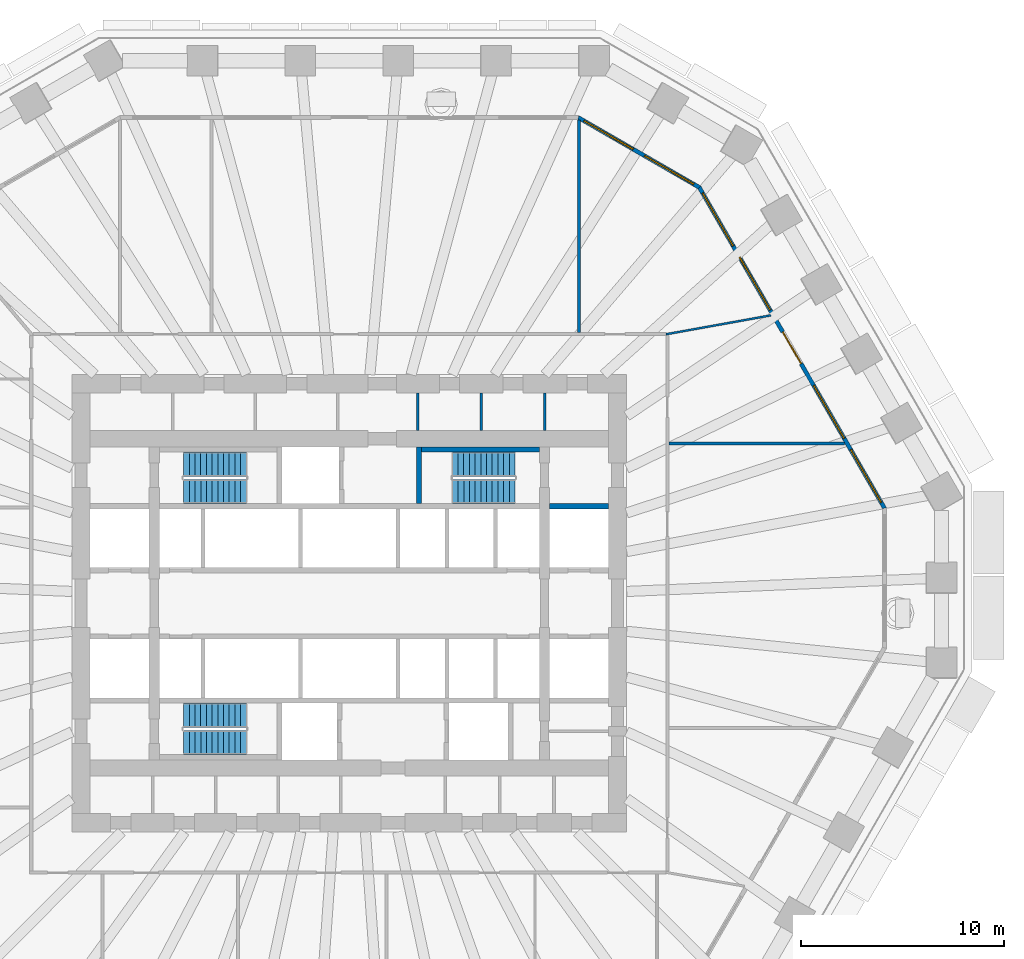
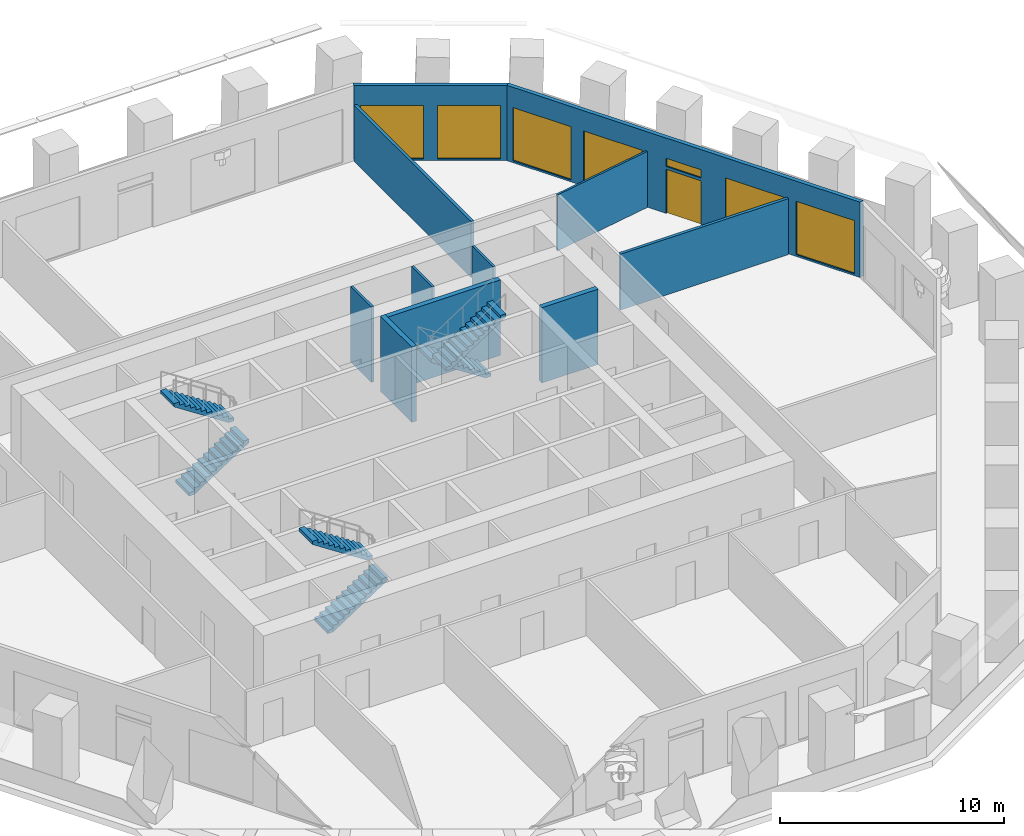
# One storey, part 8 of 12: 11 walls, 7 windows, 6 stair flights, 1 door, 8 openings, 3 elements without a shape of their own.
"""IFC4 building model written with IfcOpenShell, lengths in metres."""

from ifc_helpers import new_model, si_unit, direction, frame, frame_2d, origin, place, context, subcontext, project, spatial, polyline, rectangle, outline, extrude, material, layer, layer_set, type_object, element, fill, aggregate, save


model = new_model("IFC4")

# Units and contexts
model_context = context("Model", 3, precision=1e-05, world=origin(), true_north=direction((0.0, 1.0)))
body_context = subcontext(model_context, "Body", "Model", "MODEL_VIEW")
ifc_project = project(units=[si_unit("LENGTHUNIT", "METRE"), si_unit("AREAUNIT", "SQUARE_METRE"), si_unit("VOLUMEUNIT", "CUBIC_METRE"), si_unit("PLANEANGLEUNIT", "RADIAN"), si_unit("MASSUNIT", "GRAM", prefix="KILO")], contexts=[model_context])

# Site, building, storey
site_placement = place(None, origin())
site = spatial("IfcSite", under=ifc_project, at=site_placement, CompositionType="ELEMENT")
building_placement = place(site_placement, origin())
building = spatial("IfcBuilding", under=site, at=building_placement, Name="Frailejon Research Tower", CompositionType="ELEMENT")
storey_placement = place(building_placement, frame((0.0, 0.0, 54.199951171875)))
storey = spatial("IfcBuildingStorey", under=building, at=storey_placement, Name="L12", CompositionType="ELEMENT", Elevation=54.199951171875)

# Walls
ifc_material_1 = material(Name="Plasterboard on steel studs", Category="steel")
ifc_layer_1 = layer(ifc_material_1, 0.125)
ifc_layer_set_1 = layer_set([ifc_layer_1], Name="Core partition 125")
wall_type_1 = type_object("IfcWallType", Name="Core partition 125", PredefinedType="PARTITIONING", material=ifc_layer_set_1)
for number, where, z_axis, x_axis, name in (
    (1, (3.362548828125, 8.5, 0.0), (0.0, 0.0, 1.0), (0.0, 1.0, 0.0), "Core partition"),
    (2, (6.49169921875, 8.5, 0.0), (0.0, 0.0, 1.0), (0.0, 1.0, 0.0), "Core partition"),
    (3, (9.620849609375, 8.5, 0.0), (0.0, 0.0, 1.0), (0.0, 1.0, 0.0), "Core partition"),
):
    element("IfcWall", number, at=place(storey_placement, frame(where, z_axis=z_axis, x_axis=x_axis)), inside=storey, type_object=wall_type_1, Name=name, PredefinedType="PARTITIONING", context=body_context, shape_type="SweptSolid", body=[
        extrude(rectangle(XDim=1.85009765625, YDim=0.125, at=frame_2d((0.925048828125, 0.0))), origin(), (0.0, 0.0, 1.0), 4.10009765625),
    ])
ifc_material_2 = material(Name="Gypsum board and masonry partition", Category="masonry")
ifc_layer_2 = layer(ifc_material_2, 0.14990234375)
ifc_layer_set_2 = layer_set([ifc_layer_2], Name="Laboratory partition, blockwork 150")
wall_type_2 = type_object("IfcWallType", Name="Laboratory partition, blockwork 150", PredefinedType="PARTITIONING", material=ifc_layer_set_2)
wall_1_placement = place(storey_placement, frame((15.72509765625, 7.8740234375, 0.0), z_axis=(0.0, 0.0, 1.0), x_axis=(1.0, 0.0, 0.0)))
element("IfcWall", 4, at=wall_1_placement, inside=storey, type_object=wall_type_2, Name="T:IW:L12:005", PredefinedType="PARTITIONING", context=body_context, shape_type="SweptSolid", body=[
    extrude(rectangle(XDim=8.647705078125, YDim=0.14990234375, at=frame_2d((4.32373046875, 0.0))), origin(), (0.0, 0.0, 1.0), 3.050048828125),
])
wall_2_placement = place(storey_placement, frame((11.29345703125, 13.324951171875, 0.0), z_axis=(0.0, 0.0, 1.0), x_axis=(0.0, 1.0, 0.0)))
element("IfcWall", 5, at=wall_2_placement, inside=storey, type_object=wall_type_2, Name="T:IW:L12:007", PredefinedType="PARTITIONING", context=body_context, shape_type="SweptSolid", body=[
    extrude(rectangle(XDim=10.444091796875, YDim=0.14990234375, at=frame_2d((5.22216796875, 0.0))), origin(), (0.0, 0.0, 1.0), 3.050048828125),
])
ifc_material_3 = material(Name="Gypsum board and masonry partition", Category="masonry")
ifc_layer_3 = layer(ifc_material_3, 0.10009765625)
ifc_layer_set_3 = layer_set([ifc_layer_3], Name="Partition, gypsum on steel studs 100")
wall_type_3 = type_object("IfcWallType", Name="Partition, gypsum on steel studs 100", PredefinedType="PARTITIONING", material=ifc_layer_set_3)
wall_3_placement = place(storey_placement, frame((15.576171875, 13.23681640625, 0.0), z_axis=(0.0, 0.0, 1.0), x_axis=(0.984149392489, 0.177341403129, 0.0)))
element("IfcWall", 6, at=wall_3_placement, inside=storey, type_object=wall_type_3, Name="T:IW:L12:016", PredefinedType="PARTITIONING", context=body_context, shape_type="SweptSolid", body=[
    extrude(rectangle(XDim=5.24658203125, YDim=0.10009765625, at=frame_2d((2.623291015625, 0.0))), origin(), (0.0, 0.0, 1.0), 3.050048828125),
])
ifc_material_4 = material(Name="Concrete C70/85", Category="concrete")
ifc_layer_4 = layer(ifc_material_4, 0.25)
ifc_layer_set_4 = layer_set([ifc_layer_4], Name="Shaft wall 250 C70/85")
wall_type_4 = type_object("IfcWallType", Name="Shaft wall 250 C70/85", PredefinedType="SOLIDWALL", material=ifc_layer_set_4)
wall_4_placement = place(storey_placement, frame((9.85009765625, 4.77490234375, 0.0), z_axis=(0.0, 0.0, 1.0), x_axis=(1.0, 0.0, 0.0)))
element("IfcWall", 7, at=wall_4_placement, inside=storey, type_object=wall_type_4, Name="Shaft wall", PredefinedType="SOLIDWALL", context=body_context, shape_type="SweptSolid", body=[
    extrude(rectangle(XDim=2.89990234375, YDim=0.25, at=frame_2d((1.449951171875, 0.0))), origin(), (0.0, 0.0, 1.0), 4.10009765625),
])
wall_5_placement = place(storey_placement, frame((3.550048828125, 7.574951171875, 0.0), z_axis=(0.0, 0.0, 1.0), x_axis=(1.0, 0.0, 0.0)))
element("IfcWall", 8, at=wall_5_placement, inside=storey, type_object=wall_type_4, Name="Shaft wall", PredefinedType="SOLIDWALL", context=body_context, shape_type="SweptSolid", body=[
    extrude(rectangle(XDim=5.800048828125, YDim=0.25, at=frame_2d((2.89990234375, 0.0))), origin(), (0.0, 0.0, 1.0), 4.10009765625),
])
wall_6_placement = place(storey_placement, frame((3.425048828125, 4.89990234375, 0.0), z_axis=(0.0, 0.0, 1.0), x_axis=(0.0, 1.0, 0.0)))
element("IfcWall", 9, at=wall_6_placement, inside=storey, type_object=wall_type_4, Name="Shaft wall", PredefinedType="SOLIDWALL", context=body_context, shape_type="SweptSolid", body=[
    extrude(rectangle(XDim=2.800048828125, YDim=0.25, at=frame_2d((1.39990234375, 0.0))), origin(), (0.0, 0.0, 1.0), 4.10009765625),
])

# Wall, openings, door, windows
ifc_material_5 = material(Name="Concrete C40/50 precast window wall panel", Category="concrete")
ifc_layer_5 = layer(ifc_material_5, 0.199951171875)
ifc_layer_set_5 = layer_set([ifc_layer_5], Name="Window wall 200")
wall_type_5 = type_object("IfcWallType", Name="Window wall 200", PredefinedType="SOLIDWALL", material=ifc_layer_set_5)
wall_7_placement = place(storey_placement, frame((26.331298828125, 4.681884765625, 0.0), z_axis=(0.0, 0.0, 1.0), x_axis=(-0.500002344326, 0.866024050283, 0.0)))
wall_7 = element("IfcWall", 10, at=wall_7_placement, inside=storey, type_object=wall_type_5, Name="Exterior wall L12", PredefinedType="SOLIDWALL", context=body_context, shape_type="SweptSolid", body=[
    extrude(outline(polyline([(-0.02685546875, -0.10009765625), (0.988525390625, -0.10009765625), (2.00390625, -0.10009765625), (3.01904296875, -0.10009765625), (4.034423828125, -0.10009765625), (5.0498046875, -0.10009765625), (6.065185546875, -0.10009765625), (7.080322265625, -0.10009765625), (8.095703125, -0.10009765625), (9.111083984375, -0.10009765625), (10.12646484375, -0.10009765625), (11.141845703125, -0.10009765625), (12.156982421875, -0.10009765625), (13.17236328125, -0.10009765625), (14.187744140625, -0.10009765625), (15.203125, -0.10009765625), (16.21826171875, -0.10009765625), (17.233642578125, -0.10009765625), (18.2490234375, -0.10009765625), (18.1953125, 0.10009765625), (17.18603515625, 0.10009765625), (16.176513671875, 0.10009765625), (15.167236328125, 0.10009765625), (14.157958984375, 0.10009765625), (13.1484375, 0.10009765625), (12.13916015625, 0.10009765625), (11.1298828125, 0.10009765625), (10.120361328125, 0.10009765625), (9.111083984375, 0.10009765625), (8.101806640625, 0.10009765625), (7.09228515625, 0.10009765625), (6.0830078125, 0.10009765625), (5.07373046875, 0.10009765625), (4.064208984375, 0.10009765625), (3.054931640625, 0.10009765625), (2.045654296875, 0.10009765625), (1.0361328125, 0.10009765625), (0.02685546875, 0.10009765625), (-0.02685546875, -0.10009765625)])), origin(), (0.0, 0.0, 1.0), 4.10009765625),
])
opening_1_placement = place(wall_7_placement, frame((0.322265625, 0.0, 0.10009765625)))
opening_1 = element("IfcOpeningElement", 11, at=opening_1_placement, cuts=wall_7, Name="Opening W4", PredefinedType="OPENING", context=body_context, shape_type="SweptSolid", body=[
    extrude(rectangle(XDim=3.0, YDim=2.89990234375, at=frame_2d((1.5, 1.449951171875))), frame((0.0, 0.10986328125, 0.0), z_axis=(0.0, -1.0, 0.0), x_axis=(1.0, 0.0, 0.0)), (0.0, 0.0, 1.0), 0.219970703125),
])
opening_2_placement = place(wall_7_placement, frame((3.966796875, 0.0, 0.10009765625)))
opening_2 = element("IfcOpeningElement", 12, at=opening_2_placement, cuts=wall_7, Name="Opening W4", PredefinedType="OPENING", context=body_context, shape_type="SweptSolid", body=[
    extrude(rectangle(XDim=3.0, YDim=2.89990234375, at=frame_2d((1.5, 1.449951171875))), frame((0.0, 0.10986328125, 0.0), z_axis=(0.0, -1.0, 0.0), x_axis=(1.0, 0.0, 0.0)), (0.0, 0.0, 1.0), 0.219970703125),
])
opening_3_placement = place(wall_7_placement, frame((8.211181640625, 0.0, 0.0)))
opening_3 = element("IfcOpeningElement", 13, at=opening_3_placement, cuts=wall_7, Name="Opening LG12-1", PredefinedType="OPENING", context=body_context, shape_type="SweptSolid", body=[
    extrude(rectangle(XDim=1.800048828125, YDim=2.39990234375, at=frame_2d((0.89990234375, 1.199951171875))), frame((0.0, 0.10986328125, 0.0), z_axis=(0.0, -1.0, 0.0), x_axis=(1.0, 0.0, 0.0)), (0.0, 0.0, 1.0), 0.219970703125),
])
opening_4_placement = place(wall_7_placement, frame((8.211181640625, 0.0, 2.550048828125)))
opening_4 = element("IfcOpeningElement", 14, at=opening_4_placement, cuts=wall_7, Name="Opening W1", PredefinedType="OPENING", context=body_context, shape_type="SweptSolid", body=[
    extrude(rectangle(XDim=1.800048828125, YDim=0.449951171875, at=frame_2d((0.89990234375, 0.22509765625))), frame((0.0, 0.10986328125, 0.0), z_axis=(0.0, -1.0, 0.0), x_axis=(1.0, 0.0, 0.0)), (0.0, 0.0, 1.0), 0.219970703125),
])
opening_5_placement = place(wall_7_placement, frame((11.255615234375, 0.0, 0.10009765625)))
opening_5 = element("IfcOpeningElement", 15, at=opening_5_placement, cuts=wall_7, Name="Opening W4", PredefinedType="OPENING", context=body_context, shape_type="SweptSolid", body=[
    extrude(rectangle(XDim=3.0, YDim=2.89990234375, at=frame_2d((1.5, 1.449951171875))), frame((0.0, 0.10986328125, 0.0), z_axis=(0.0, -1.0, 0.0), x_axis=(1.0, 0.0, 0.0)), (0.0, 0.0, 1.0), 0.219970703125),
])
opening_6_placement = place(wall_7_placement, frame((14.89990234375, 0.0, 0.10009765625)))
opening_6 = element("IfcOpeningElement", 16, at=opening_6_placement, cuts=wall_7, Name="Opening W4", PredefinedType="OPENING", context=body_context, shape_type="SweptSolid", body=[
    extrude(rectangle(XDim=3.0, YDim=2.89990234375, at=frame_2d((1.5, 1.449951171875))), frame((0.0, 0.10986328125, 0.0), z_axis=(0.0, -1.0, 0.0), x_axis=(1.0, 0.0, 0.0)), (0.0, 0.0, 1.0), 0.219970703125),
])
ifc_material_6 = material(Name="Aluminium framed glazed door leaf", Category="aluminium")
door_type = type_object("IfcDoorType", Name="Loggia door 1800x2400", OperationType="DOUBLE_DOOR_SINGLE_SWING", PredefinedType="DOOR", material=ifc_material_6)
door_placement = place(opening_3_placement, origin())
door = element("IfcDoor", 17, at=door_placement, inside=storey, type_object=door_type, Name="Door LG12-1", OperationType="DOUBLE_DOOR_SINGLE_SWING", OverallHeight=2.39990234375, OverallWidth=1.800048828125, PredefinedType="DOOR", context=body_context, shape_type="SweptSolid", body=[
    extrude(rectangle(XDim=1.800048828125, YDim=2.39990234375, at=frame_2d((0.89990234375, 1.199951171875))), frame((0.0, 0.02490234375, 0.0), z_axis=(0.0, -1.0, 0.0), x_axis=(1.0, 0.0, 0.0)), (0.0, 0.0, 1.0), 0.050048828125),
])
fill(opening_3, door)
ifc_material_7 = material(Name="Aluminium framed double glazing", Category="aluminium")
window_type_1 = type_object("IfcWindowType", Name="Window 1800x450", PartitioningType="SINGLE_PANEL", PredefinedType="WINDOW", material=ifc_material_7)
window_1_placement = place(opening_4_placement, origin())
window_1 = element("IfcWindow", 18, at=window_1_placement, inside=storey, type_object=window_type_1, Name="Window L12", OverallHeight=0.449951171875, OverallWidth=1.800048828125, PartitioningType="SINGLE_PANEL", PredefinedType="WINDOW", context=body_context, shape_type="SweptSolid", body=[
    extrude(rectangle(XDim=1.800048828125, YDim=0.449951171875, at=frame_2d((0.89990234375, 0.22509765625))), frame((0.0, 0.030029296875, 0.0), z_axis=(0.0, -1.0, 0.0), x_axis=(1.0, 0.0, 0.0)), (0.0, 0.0, 1.0), 0.06005859375),
])
fill(opening_4, window_1)
ifc_material_8 = material(Name="Aluminium framed double glazing", Category="aluminium")
window_type_2 = type_object("IfcWindowType", Name="Window 3000x2900", PartitioningType="SINGLE_PANEL", PredefinedType="WINDOW", material=ifc_material_8)
window_2_placement = place(opening_1_placement, origin())
window_2 = element("IfcWindow", 19, at=window_2_placement, inside=storey, type_object=window_type_2, Name="Window L12", OverallHeight=2.89990234375, OverallWidth=3.0, PartitioningType="SINGLE_PANEL", PredefinedType="WINDOW", context=body_context, shape_type="SweptSolid", body=[
    extrude(rectangle(XDim=3.0, YDim=2.89990234375, at=frame_2d((1.5, 1.449951171875))), frame((0.0, 0.030029296875, 0.0), z_axis=(0.0, -1.0, 0.0), x_axis=(1.0, 0.0, 0.0)), (0.0, 0.0, 1.0), 0.06005859375),
])
fill(opening_1, window_2)
window_3_placement = place(opening_2_placement, origin())
window_3 = element("IfcWindow", 20, at=window_3_placement, inside=storey, type_object=window_type_2, Name="Window L12", OverallHeight=2.89990234375, OverallWidth=3.0, PartitioningType="SINGLE_PANEL", PredefinedType="WINDOW", context=body_context, shape_type="SweptSolid", body=[
    extrude(rectangle(XDim=3.0, YDim=2.89990234375, at=frame_2d((1.5, 1.449951171875))), frame((0.0, 0.030029296875, 0.0), z_axis=(0.0, -1.0, 0.0), x_axis=(1.0, 0.0, 0.0)), (0.0, 0.0, 1.0), 0.06005859375),
])
fill(opening_2, window_3)
window_4_placement = place(opening_5_placement, origin())
window_4 = element("IfcWindow", 21, at=window_4_placement, inside=storey, type_object=window_type_2, Name="Window L12", OverallHeight=2.89990234375, OverallWidth=3.0, PartitioningType="SINGLE_PANEL", PredefinedType="WINDOW", context=body_context, shape_type="SweptSolid", body=[
    extrude(rectangle(XDim=3.0, YDim=2.89990234375, at=frame_2d((1.5, 1.449951171875))), frame((0.0, 0.030029296875, 0.0), z_axis=(0.0, -1.0, 0.0), x_axis=(1.0, 0.0, 0.0)), (0.0, 0.0, 1.0), 0.06005859375),
])
fill(opening_5, window_4)
window_5_placement = place(opening_6_placement, origin())
window_5 = element("IfcWindow", 22, at=window_5_placement, inside=storey, type_object=window_type_2, Name="Window L12", OverallHeight=2.89990234375, OverallWidth=3.0, PartitioningType="SINGLE_PANEL", PredefinedType="WINDOW", context=body_context, shape_type="SweptSolid", body=[
    extrude(rectangle(XDim=3.0, YDim=2.89990234375, at=frame_2d((1.5, 1.449951171875))), frame((0.0, 0.030029296875, 0.0), z_axis=(0.0, -1.0, 0.0), x_axis=(1.0, 0.0, 0.0)), (0.0, 0.0, 1.0), 0.06005859375),
])
fill(opening_6, window_5)

# Wall, openings, windows
wall_8_placement = place(storey_placement, frame((17.22021484375, 20.462646484375, 0.0), z_axis=(0.0, 0.0, 1.0), x_axis=(-0.866029458321, 0.49999297727, 0.0)))
wall_8 = element("IfcWall", 23, at=wall_8_placement, inside=storey, type_object=wall_type_5, Name="Exterior wall L12", PredefinedType="SOLIDWALL", context=body_context, shape_type="SweptSolid", body=[
    extrude(outline(polyline([(-0.02685546875, -0.10009765625), (1.1279296875, -0.10009765625), (2.282470703125, -0.10009765625), (3.437255859375, -0.10009765625), (4.592041015625, -0.10009765625), (5.74658203125, -0.10009765625), (6.9013671875, -0.10009765625), (6.84765625, 0.10009765625), (5.7109375, 0.10009765625), (4.573974609375, 0.10009765625), (3.437255859375, 0.10009765625), (2.300537109375, 0.10009765625), (1.16357421875, 0.10009765625), (0.02685546875, 0.10009765625), (-0.02685546875, -0.10009765625)])), origin(), (0.0, 0.0, 1.0), 4.10009765625),
])
opening_7_placement = place(wall_8_placement, frame((0.318603515625, 0.0, 0.10009765625)))
opening_7 = element("IfcOpeningElement", 24, at=opening_7_placement, cuts=wall_8, Name="Opening W3", PredefinedType="OPENING", context=body_context, shape_type="SweptSolid", body=[
    extrude(rectangle(XDim=2.800048828125, YDim=2.89990234375, at=frame_2d((1.39990234375, 1.449951171875))), frame((0.0, 0.10986328125, 0.0), z_axis=(0.0, -1.0, 0.0), x_axis=(1.0, 0.0, 0.0)), (0.0, 0.0, 1.0), 0.219970703125),
])
opening_8_placement = place(wall_8_placement, frame((3.756103515625, 0.0, 0.10009765625)))
opening_8 = element("IfcOpeningElement", 25, at=opening_8_placement, cuts=wall_8, Name="Opening W3", PredefinedType="OPENING", context=body_context, shape_type="SweptSolid", body=[
    extrude(rectangle(XDim=2.800048828125, YDim=2.89990234375, at=frame_2d((1.39990234375, 1.449951171875))), frame((0.0, 0.10986328125, 0.0), z_axis=(0.0, -1.0, 0.0), x_axis=(1.0, 0.0, 0.0)), (0.0, 0.0, 1.0), 0.219970703125),
])
ifc_material_9 = material(Name="Aluminium framed double glazing", Category="aluminium")
window_type_3 = type_object("IfcWindowType", Name="Window 2800x2900", PartitioningType="SINGLE_PANEL", PredefinedType="WINDOW", material=ifc_material_9)
window_6_placement = place(opening_7_placement, origin())
window_6 = element("IfcWindow", 26, at=window_6_placement, inside=storey, type_object=window_type_3, Name="Window L12", OverallHeight=2.89990234375, OverallWidth=2.800048828125, PartitioningType="SINGLE_PANEL", PredefinedType="WINDOW", context=body_context, shape_type="SweptSolid", body=[
    extrude(rectangle(XDim=2.800048828125, YDim=2.89990234375, at=frame_2d((1.39990234375, 1.449951171875))), frame((0.0, 0.030029296875, 0.0), z_axis=(0.0, -1.0, 0.0), x_axis=(1.0, 0.0, 0.0)), (0.0, 0.0, 1.0), 0.06005859375),
])
fill(opening_7, window_6)
window_7_placement = place(opening_8_placement, origin())
window_7 = element("IfcWindow", 27, at=window_7_placement, inside=storey, type_object=window_type_3, Name="Window L12", OverallHeight=2.89990234375, OverallWidth=2.800048828125, PartitioningType="SINGLE_PANEL", PredefinedType="WINDOW", context=body_context, shape_type="SweptSolid", body=[
    extrude(rectangle(XDim=2.800048828125, YDim=2.89990234375, at=frame_2d((1.39990234375, 1.449951171875))), frame((0.0, 0.030029296875, 0.0), z_axis=(0.0, -1.0, 0.0), x_axis=(1.0, 0.0, 0.0)), (0.0, 0.0, 1.0), 0.06005859375),
])
fill(opening_8, window_7)

# Stair, stair flights
ifc_material_10 = material(Name="Concrete C50/60", Category="concrete")
stair_type = type_object("IfcStairType", Name="Exit stair 24 risers", PredefinedType="HALF_TURN_STAIR", material=ifc_material_10)
stair_1_placement = place(storey_placement, origin())
stair_1 = element("IfcStair", 28, at=stair_1_placement, inside=storey, type_object=stair_type, Name="L12 Exit stair ST1", PredefinedType="HALF_TURN_STAIR")
ifc_material_11 = material(Name="Concrete C50/60", Category="concrete")
ifc_layer_6 = layer(ifc_material_11, 0.14990234375)
ifc_layer_set_6 = layer_set([ifc_layer_6], Name="Stair flight 12 risers")
stair_flight_type = type_object("IfcStairFlightType", Name="Stair flight 12 risers", PredefinedType="STRAIGHT", material=ifc_layer_set_6)
stair_flight_1_placement = place(storey_placement, frame((-8.14990234375, 5.5, 0.0), z_axis=(0.0, 0.0, 1.0), x_axis=(1.0, 0.0, 0.0)))
stair_flight_1 = element("IfcStairFlight", 29, at=stair_flight_1_placement, type_object=stair_flight_type, Name="ST1 flight 1", NumberOfRisers=12, NumberOfTreads=11, PredefinedType="STRAIGHT", RiserHeight=0.183333333, TreadLength=0.28, context=body_context, shape_type="SweptSolid", body=[
    extrude(outline(polyline([(0.0, 0.0), (0.0, 0.183349609375), (0.280029296875, 0.183349609375), (0.280029296875, 0.36669921875), (0.56005859375, 0.36669921875), (0.56005859375, 0.550048828125), (0.840087890625, 0.550048828125), (0.840087890625, 0.7333984375), (1.1201171875, 0.7333984375), (1.1201171875, 0.916748046875), (1.39990234375, 0.916748046875), (1.39990234375, 1.10009765625), (1.679931640625, 1.10009765625), (1.679931640625, 1.283447265625), (1.9599609375, 1.283447265625), (1.9599609375, 1.466552734375), (2.239990234375, 1.466552734375), (2.239990234375, 1.64990234375), (2.52001953125, 1.64990234375), (2.52001953125, 1.833251953125), (2.800048828125, 1.833251953125), (2.800048828125, 2.0166015625), (3.080078125, 2.0166015625), (3.080078125, 2.199951171875), (3.080078125, 1.83740234375), (0.273681640625, 0.0), (0.0, 0.0)])), frame((0.0, 0.60009765625, 0.0), z_axis=(0.0, -1.0, 0.0), x_axis=(1.0, 0.0, 0.0)), (0.0, 0.0, 1.0), 1.199951171875),
])
stair_flight_2_placement = place(storey_placement, frame((-5.070068359375, 6.85009765625, 2.199951171875), z_axis=(0.0, 0.0, 1.0), x_axis=(-1.0, 0.0, 0.0)))
stair_flight_2 = element("IfcStairFlight", 30, at=stair_flight_2_placement, type_object=stair_flight_type, Name="ST1 flight 2", NumberOfRisers=12, NumberOfTreads=11, PredefinedType="STRAIGHT", RiserHeight=0.183333333, TreadLength=0.28, context=body_context, shape_type="SweptSolid", body=[
    extrude(outline(polyline([(0.0, 0.0), (0.0, 0.183349609375), (0.280029296875, 0.183349609375), (0.280029296875, 0.36669921875), (0.56005859375, 0.36669921875), (0.56005859375, 0.550048828125), (0.840087890625, 0.550048828125), (0.840087890625, 0.7333984375), (1.1201171875, 0.7333984375), (1.1201171875, 0.916748046875), (1.39990234375, 0.916748046875), (1.39990234375, 1.10009765625), (1.679931640625, 1.10009765625), (1.679931640625, 1.283447265625), (1.9599609375, 1.283447265625), (1.9599609375, 1.466552734375), (2.239990234375, 1.466552734375), (2.239990234375, 1.64990234375), (2.52001953125, 1.64990234375), (2.52001953125, 1.833251953125), (2.800048828125, 1.833251953125), (2.800048828125, 2.0166015625), (3.080078125, 2.0166015625), (3.080078125, 2.199951171875), (3.080078125, 1.83740234375), (0.273681640625, 0.0), (0.0, 0.0)])), frame((0.0, 0.60009765625, 0.0), z_axis=(0.0, -1.0, 0.0), x_axis=(1.0, 0.0, 0.0)), (0.0, 0.0, 1.0), 1.199951171875),
])
aggregate(stair_1, [stair_flight_1, stair_flight_2])

stair_2_placement = place(storey_placement, origin())
stair_2 = element("IfcStair", 31, at=stair_2_placement, inside=storey, type_object=stair_type, Name="L12 Exit stair ST2", PredefinedType="HALF_TURN_STAIR")
stair_flight_3_placement = place(storey_placement, frame((-8.14990234375, -6.85009765625, 0.0), z_axis=(0.0, 0.0, 1.0), x_axis=(1.0, 0.0, 0.0)))
stair_flight_3 = element("IfcStairFlight", 32, at=stair_flight_3_placement, type_object=stair_flight_type, Name="ST2 flight 1", NumberOfRisers=12, NumberOfTreads=11, PredefinedType="STRAIGHT", RiserHeight=0.183333333, TreadLength=0.28, context=body_context, shape_type="SweptSolid", body=[
    extrude(outline(polyline([(0.0, 0.0), (0.0, 0.183349609375), (0.280029296875, 0.183349609375), (0.280029296875, 0.36669921875), (0.56005859375, 0.36669921875), (0.56005859375, 0.550048828125), (0.840087890625, 0.550048828125), (0.840087890625, 0.7333984375), (1.1201171875, 0.7333984375), (1.1201171875, 0.916748046875), (1.39990234375, 0.916748046875), (1.39990234375, 1.10009765625), (1.679931640625, 1.10009765625), (1.679931640625, 1.283447265625), (1.9599609375, 1.283447265625), (1.9599609375, 1.466552734375), (2.239990234375, 1.466552734375), (2.239990234375, 1.64990234375), (2.52001953125, 1.64990234375), (2.52001953125, 1.833251953125), (2.800048828125, 1.833251953125), (2.800048828125, 2.0166015625), (3.080078125, 2.0166015625), (3.080078125, 2.199951171875), (3.080078125, 1.83740234375), (0.273681640625, 0.0), (0.0, 0.0)])), frame((0.0, 0.60009765625, 0.0), z_axis=(0.0, -1.0, 0.0), x_axis=(1.0, 0.0, 0.0)), (0.0, 0.0, 1.0), 1.199951171875),
])
stair_flight_4_placement = place(storey_placement, frame((-5.070068359375, -5.5, 2.199951171875), z_axis=(0.0, 0.0, 1.0), x_axis=(-1.0, 0.0, 0.0)))
stair_flight_4 = element("IfcStairFlight", 33, at=stair_flight_4_placement, type_object=stair_flight_type, Name="ST2 flight 2", NumberOfRisers=12, NumberOfTreads=11, PredefinedType="STRAIGHT", RiserHeight=0.183333333, TreadLength=0.28, context=body_context, shape_type="SweptSolid", body=[
    extrude(outline(polyline([(0.0, 0.0), (0.0, 0.183349609375), (0.280029296875, 0.183349609375), (0.280029296875, 0.36669921875), (0.56005859375, 0.36669921875), (0.56005859375, 0.550048828125), (0.840087890625, 0.550048828125), (0.840087890625, 0.7333984375), (1.1201171875, 0.7333984375), (1.1201171875, 0.916748046875), (1.39990234375, 0.916748046875), (1.39990234375, 1.10009765625), (1.679931640625, 1.10009765625), (1.679931640625, 1.283447265625), (1.9599609375, 1.283447265625), (1.9599609375, 1.466552734375), (2.239990234375, 1.466552734375), (2.239990234375, 1.64990234375), (2.52001953125, 1.64990234375), (2.52001953125, 1.833251953125), (2.800048828125, 1.833251953125), (2.800048828125, 2.0166015625), (3.080078125, 2.0166015625), (3.080078125, 2.199951171875), (3.080078125, 1.83740234375), (0.273681640625, 0.0), (0.0, 0.0)])), frame((0.0, 0.60009765625, 0.0), z_axis=(0.0, -1.0, 0.0), x_axis=(1.0, 0.0, 0.0)), (0.0, 0.0, 1.0), 1.199951171875),
])
aggregate(stair_2, [stair_flight_3, stair_flight_4])

stair_3_placement = place(storey_placement, origin())
stair_3 = element("IfcStair", 34, at=stair_3_placement, inside=storey, type_object=stair_type, Name="L12 Exit stair ST3", PredefinedType="HALF_TURN_STAIR")
stair_flight_5_placement = place(storey_placement, frame((8.14990234375, 6.85009765625, 0.0), z_axis=(0.0, 0.0, 1.0), x_axis=(-1.0, 0.0, 0.0)))
stair_flight_5 = element("IfcStairFlight", 35, at=stair_flight_5_placement, type_object=stair_flight_type, Name="ST3 flight 1", NumberOfRisers=12, NumberOfTreads=11, PredefinedType="STRAIGHT", RiserHeight=0.183333333, TreadLength=0.28, context=body_context, shape_type="SweptSolid", body=[
    extrude(outline(polyline([(0.0, 0.0), (0.0, 0.183349609375), (0.280029296875, 0.183349609375), (0.280029296875, 0.36669921875), (0.56005859375, 0.36669921875), (0.56005859375, 0.550048828125), (0.840087890625, 0.550048828125), (0.840087890625, 0.7333984375), (1.1201171875, 0.7333984375), (1.1201171875, 0.916748046875), (1.39990234375, 0.916748046875), (1.39990234375, 1.10009765625), (1.679931640625, 1.10009765625), (1.679931640625, 1.283447265625), (1.9599609375, 1.283447265625), (1.9599609375, 1.466552734375), (2.239990234375, 1.466552734375), (2.239990234375, 1.64990234375), (2.52001953125, 1.64990234375), (2.52001953125, 1.833251953125), (2.800048828125, 1.833251953125), (2.800048828125, 2.0166015625), (3.080078125, 2.0166015625), (3.080078125, 2.199951171875), (3.080078125, 1.83740234375), (0.273681640625, 0.0), (0.0, 0.0)])), frame((0.0, 0.60009765625, 0.0), z_axis=(0.0, -1.0, 0.0), x_axis=(1.0, 0.0, 0.0)), (0.0, 0.0, 1.0), 1.199951171875),
])
stair_flight_6_placement = place(storey_placement, frame((5.070068359375, 5.5, 2.199951171875), z_axis=(0.0, 0.0, 1.0), x_axis=(1.0, 0.0, 0.0)))
stair_flight_6 = element("IfcStairFlight", 36, at=stair_flight_6_placement, type_object=stair_flight_type, Name="ST3 flight 2", NumberOfRisers=12, NumberOfTreads=11, PredefinedType="STRAIGHT", RiserHeight=0.183333333, TreadLength=0.28, context=body_context, shape_type="SweptSolid", body=[
    extrude(outline(polyline([(0.0, 0.0), (0.0, 0.183349609375), (0.280029296875, 0.183349609375), (0.280029296875, 0.36669921875), (0.56005859375, 0.36669921875), (0.56005859375, 0.550048828125), (0.840087890625, 0.550048828125), (0.840087890625, 0.7333984375), (1.1201171875, 0.7333984375), (1.1201171875, 0.916748046875), (1.39990234375, 0.916748046875), (1.39990234375, 1.10009765625), (1.679931640625, 1.10009765625), (1.679931640625, 1.283447265625), (1.9599609375, 1.283447265625), (1.9599609375, 1.466552734375), (2.239990234375, 1.466552734375), (2.239990234375, 1.64990234375), (2.52001953125, 1.64990234375), (2.52001953125, 1.833251953125), (2.800048828125, 1.833251953125), (2.800048828125, 2.0166015625), (3.080078125, 2.0166015625), (3.080078125, 2.199951171875), (3.080078125, 1.83740234375), (0.273681640625, 0.0), (0.0, 0.0)])), frame((0.0, 0.60009765625, 0.0), z_axis=(0.0, -1.0, 0.0), x_axis=(1.0, 0.0, 0.0)), (0.0, 0.0, 1.0), 1.199951171875),
])
aggregate(stair_3, [stair_flight_5, stair_flight_6])

save(model, "model.ifc")
